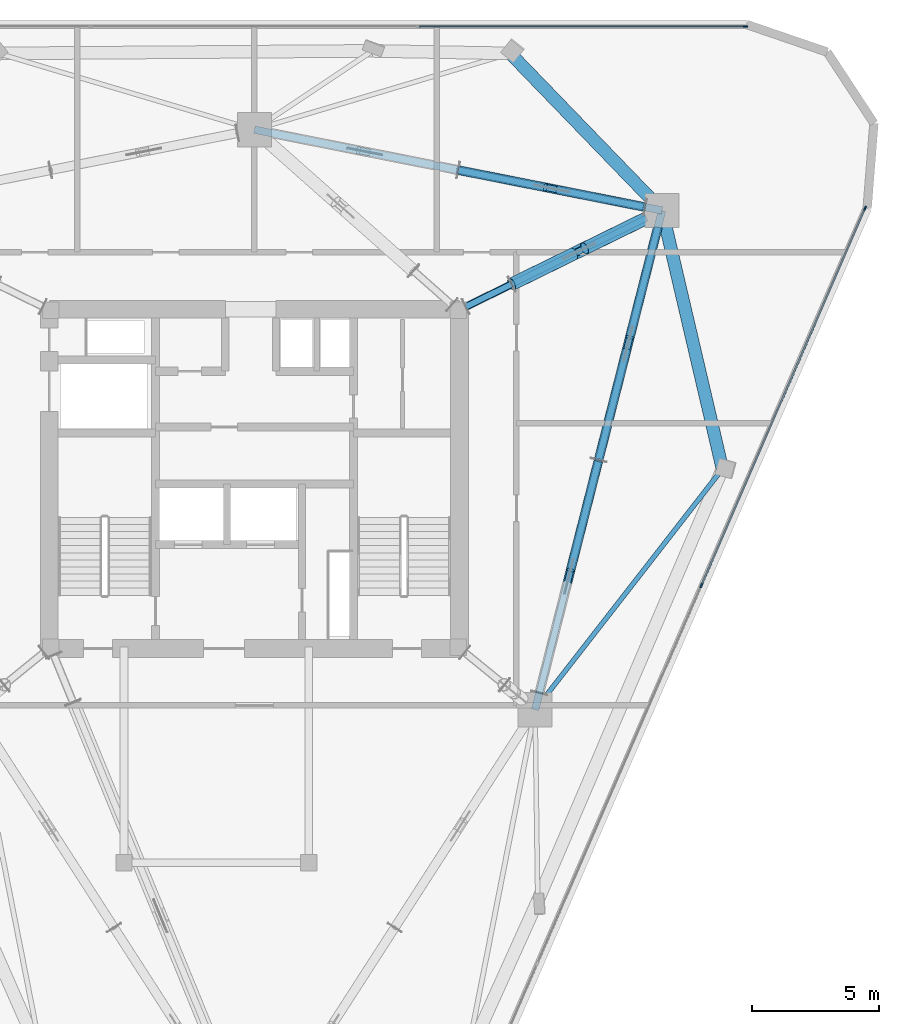
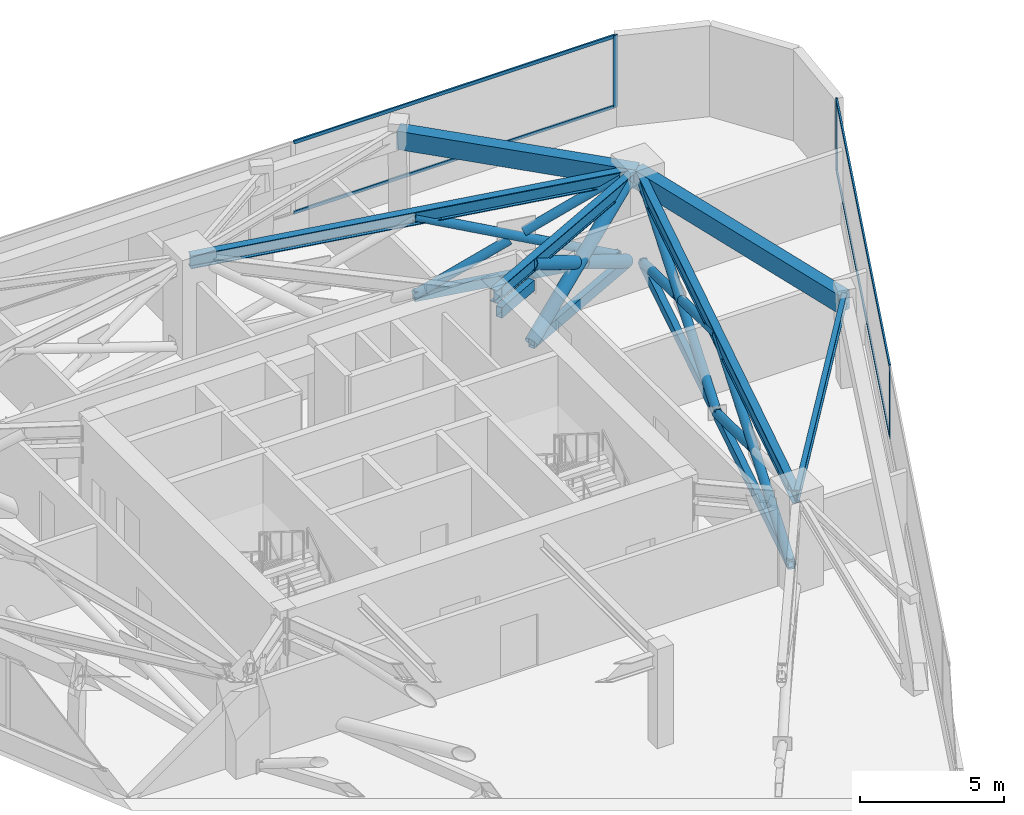
# One storey, part 7 of 12: 28 members, 6 beams, 2 elements without a shape of their own.
"""IFC4 building model written with IfcOpenShell, lengths in metres."""

from ifc_helpers import new_model, si_unit, direction, frame, origin, origin_2d, place, context, subcontext, project, spatial, rectangle, hollow_rectangle, hollow_circle, i_section, extrude, material, layer, layer_set, material_profile, profile_set, type_object, element, aggregate, save


model = new_model("IFC4")

# Units and contexts
model_context = context("Model", 3, precision=1e-05, world=origin(), true_north=direction((0.0, 1.0)))
body_context = subcontext(model_context, "Body", "Model", "MODEL_VIEW")
ifc_project = project(units=[si_unit("LENGTHUNIT", "METRE"), si_unit("AREAUNIT", "SQUARE_METRE"), si_unit("VOLUMEUNIT", "CUBIC_METRE"), si_unit("PLANEANGLEUNIT", "RADIAN"), si_unit("MASSUNIT", "GRAM", prefix="KILO")], contexts=[model_context])

# Site, building, storey
site_placement = place(None, origin())
site = spatial("IfcSite", under=ifc_project, at=site_placement, CompositionType="ELEMENT")
building_placement = place(site_placement, origin())
building = spatial("IfcBuilding", under=site, at=building_placement, Name="Talyreon Biosciences Tower", CompositionType="ELEMENT")
storey_placement = place(building_placement, frame((0.0, 0.0, 223.199951171875)))
storey = spatial("IfcBuildingStorey", under=building, at=storey_placement, Name="L59", CompositionType="ELEMENT", Elevation=223.199951171875)

# Members
ifc_material_1 = material(Name="Steel SM355", Category="steel")
ifc_material_profile_1 = material_profile(ifc_material_1, hollow_circle(Radius=0.177734375, WallThickness=0.01416015625, at=origin_2d()), Name="CHS 355.6x14.2")
ifc_profile_set_1 = profile_set([ifc_material_profile_1], Name="Steel SM355")
member_type_1 = type_object("IfcMemberType", Name="BeltBrace_CHS355", PredefinedType="BRACE", material=ifc_profile_set_1)
member_1_placement = place(storey_placement, frame((77.255126953125, 59.544189453125, 0.239990234375), z_axis=(0.232387556643, 0.913541898906, 0.333822141956), x_axis=(-0.969135299617, 0.246529452677, 0.0)))
element("IfcMember", 1, at=member_1_placement, inside=storey, type_object=member_type_1, Name="L59 Continuous Diagonal BELT-L59-B2S1A", PredefinedType="BRACE", context=body_context, shape_type="SweptSolid", body=[
    extrude(hollow_circle(Radius=0.177734375, WallThickness=0.01416015625, at=origin_2d()), origin(), (0.0, 0.0, 1.0), 10.065673828125),
])
member_2_placement = place(storey_placement, frame((79.59423828125, 68.739501953125, 0.239990234375), z_axis=(-0.232390170682, -0.913533774404, 0.333842555097), x_axis=(0.969134113213, -0.246534116519, 0.0)))
element("IfcMember", 2, at=member_2_placement, inside=storey, type_object=member_type_1, Name="L59 Split Diagonal BELT-L59-B2S1B-Lower", PredefinedType="BRACE", context=body_context, shape_type="SweptSolid", body=[
    extrude(hollow_circle(Radius=0.177734375, WallThickness=0.01416015625, at=origin_2d()), origin(), (0.0, 0.0, 1.0), 4.752685546875),
])
member_3_placement = place(storey_placement, frame((79.59423828125, 68.739501953125, 0.239990234375), z_axis=(0.232410501623, 0.913536749438, 0.333820260262), x_axis=(-0.969129151675, 0.246553619673, 0.0)))
element("IfcMember", 3, at=member_3_placement, inside=storey, type_object=member_type_1, Name="L59 Continuous Diagonal BELT-L59-B2S2A", PredefinedType="BRACE", context=body_context, shape_type="SweptSolid", body=[
    extrude(hollow_circle(Radius=0.177734375, WallThickness=0.01416015625, at=origin_2d()), origin(), (0.0, 0.0, 1.0), 10.065673828125),
])
for number, where, z_axis, x_axis, name in (
    (4, (81.93359375, 77.934814453125, 0.239990234375), (-0.232390170682, -0.913533774404, 0.333842555097), (0.969134113213, -0.246534116519, 0.0), "L59 Split Diagonal BELT-L59-B2S2B-Lower"),
    (5, (80.69873046875, 73.081298828125, 2.013427734375), (-0.232390170682, -0.913533774404, 0.333842555097), (0.969134113213, -0.246534116519, 0.0), "L59 Split Diagonal BELT-L59-B2S2B-Upper"),
):
    element("IfcMember", number, at=place(storey_placement, frame(where, z_axis=z_axis, x_axis=x_axis)), inside=storey, type_object=member_type_1, Name=name, PredefinedType="BRACE", context=body_context, shape_type="SweptSolid", body=[
        extrude(hollow_circle(Radius=0.177734375, WallThickness=0.01416015625, at=origin_2d()), origin(), (0.0, 0.0, 1.0), 4.752685546875),
    ])
member_4_placement = place(storey_placement, frame((81.430419921875, 78.731689453125, 0.239990234375), z_axis=(-0.895643462177, 0.177469270305, 0.407832621007), x_axis=(-0.194368289089, -0.980928625434, 0.0)))
element("IfcMember", 6, at=member_4_placement, inside=storey, type_object=member_type_1, Name="L59 Continuous Diagonal BELT-L59-B3S1A", PredefinedType="BRACE", context=body_context, shape_type="SweptSolid", body=[
    extrude(hollow_circle(Radius=0.177734375, WallThickness=0.01416015625, at=origin_2d()), origin(), (0.0, 0.0, 1.0), 8.239013671875),
])
for number, where, z_axis, x_axis, name in (
    (7, (74.05126953125, 80.19384765625, 0.239990234375), (0.895633809037, -0.177473479661, 0.407851988013), (0.194374740894, 0.980927347005, 0.0), "L59 Split Diagonal BELT-L59-B3S1B-Lower"),
    (8, (77.99169921875, 79.4130859375, 2.0341796875), (0.895633809037, -0.177473479661, 0.407851988013), (0.194374740894, 0.980927347005, 0.0), "L59 Split Diagonal BELT-L59-B3S1B-Upper"),
):
    element("IfcMember", number, at=place(storey_placement, frame(where, z_axis=z_axis, x_axis=x_axis)), inside=storey, type_object=member_type_1, Name=name, PredefinedType="BRACE", context=body_context, shape_type="SweptSolid", body=[
        extrude(hollow_circle(Radius=0.177734375, WallThickness=0.01416015625, at=origin_2d()), origin(), (0.0, 0.0, 1.0), 3.83935546875),
    ])
ifc_material_profile_2 = material_profile(ifc_material_1, hollow_rectangle(XDim=0.25, YDim=0.39990234375, WallThickness=0.01611328125, at=origin_2d()), Name="RHS 400x250x16")
ifc_profile_set_2 = profile_set([ifc_material_profile_2], Name="Steel SM355")
member_type_2 = type_object("IfcMemberType", Name="BeltChord_RHS400x250", PredefinedType="CHORD", material=ifc_profile_set_2)
for number, where, z_axis, x_axis, name in (
    (9, (77.255126953125, 59.544189453125, 0.239990234375), (0.246529452677, 0.969135299617, 0.0), (-0.969135299617, 0.246529452677, 0.0), "L59 Truss Bottom Chord BELT-L59-B2S1"),
    (10, (77.255126953125, 59.544189453125, 3.60009765625), (0.246529452677, 0.969135299617, 0.0), (-0.969135299617, 0.246529452677, 0.0), "L59 Truss Top Chord BELT-L59-B2S1"),
    (11, (79.59423828125, 68.739501953125, 0.239990234375), (0.246553619673, 0.969129151675, 0.0), (-0.969129151675, 0.246553619673, 0.0), "L59 Truss Bottom Chord BELT-L59-B2S2"),
    (12, (79.59423828125, 68.739501953125, 3.60009765625), (0.246553619673, 0.969129151675, 0.0), (-0.969129151675, 0.246553619673, 0.0), "L59 Truss Top Chord BELT-L59-B2S2"),
):
    element("IfcMember", number, at=place(storey_placement, frame(where, z_axis=z_axis, x_axis=x_axis)), inside=storey, type_object=member_type_2, Name=name, PredefinedType="CHORD", context=body_context, shape_type="SweptSolid", body=[
        extrude(hollow_rectangle(XDim=0.25, YDim=0.39990234375, WallThickness=0.01611328125, at=origin_2d()), origin(), (0.0, 0.0, 1.0), 9.48828125),
    ])
for number, where, z_axis, x_axis, name in (
    (13, (81.430419921875, 78.731689453125, 0.239990234375), (-0.980928625434, 0.194368289089, 0.0), (-0.194368289089, -0.980928625434, 0.0), "L59 Truss Bottom Chord BELT-L59-B3S1"),
    (14, (81.430419921875, 78.731689453125, 3.60009765625), (-0.980928625434, 0.194368289089, 0.0), (-0.194368289089, -0.980928625434, 0.0), "L59 Truss Top Chord BELT-L59-B3S1"),
):
    element("IfcMember", number, at=place(storey_placement, frame(where, z_axis=z_axis, x_axis=x_axis)), inside=storey, type_object=member_type_2, Name=name, PredefinedType="CHORD", context=body_context, shape_type="SweptSolid", body=[
        extrude(hollow_rectangle(XDim=0.25, YDim=0.39990234375, WallThickness=0.01611328125, at=origin_2d()), origin(), (0.0, 0.0, 1.0), 7.522705078125),
    ])

# Curtain wall, member
ifc_material_2 = material(Name="Thermally broken aluminium and low-E glazing", Category="aluminium")
ifc_layer = layer(ifc_material_2, 0.179931640625)
ifc_layer_set = layer_set([ifc_layer], Name="Thermally broken aluminium and low-E glazing")
curtain_wall_type = type_object("IfcCurtainWallType", Name="CurtainWall_Zone4Optical", PredefinedType="NOTDEFINED", material=ifc_layer_set)
curtain_wall_1_placement = place(storey_placement, origin())
curtain_wall_1 = element("IfcCurtainWall", 15, at=curtain_wall_1_placement, inside=storey, type_object=curtain_wall_type, Name="L59 Unitised Curtain Wall FCW-L59-04", PredefinedType="NOTDEFINED")
ifc_material_3 = material(Name="Anodised thermally broken aluminium", Category="aluminium")
ifc_material_profile_3 = material_profile(ifc_material_3, rectangle(XDim=0.06494140625, YDim=0.179931640625, at=origin_2d()), Name="ALUM MULLION 65x180")
ifc_profile_set_3 = profile_set([ifc_material_profile_3], Name="Anodised thermally broken aluminium")
member_type_3 = type_object("IfcMemberType", Name="CWMullion_65x180", PredefinedType="MULLION", material=ifc_profile_set_3)
member_5_placement = place(storey_placement, frame((85.402099609375, 85.87158203125, 0.81005859375), z_axis=(0.0, 0.0, 1.0), x_axis=(0.0, 1.0, 0.0)))
member_5 = element("IfcMember", 16, at=member_5_placement, type_object=member_type_3, Name="CW5 mullion 4", PredefinedType="MULLION", context=body_context, shape_type="SweptSolid", body=[
    extrude(rectangle(XDim=0.06494140625, YDim=0.179931640625, at=origin_2d()), origin(), (0.0, 0.0, 1.0), 3.0400390625),
])

# Curtain wall, members
curtain_wall_2_placement = place(storey_placement, origin())
curtain_wall_2 = element("IfcCurtainWall", 17, at=curtain_wall_2_placement, inside=storey, type_object=curtain_wall_type, Name="L59 Unitised Curtain Wall FCW-L59-08", PredefinedType="NOTDEFINED")
member_6_placement = place(storey_placement, frame((90.118408203125, 78.683349609375, 0.81005859375), z_axis=(0.0, 0.0, 1.0), x_axis=(0.917336640876, -0.398112405366, 0.0)))
member_6 = element("IfcMember", 18, at=member_6_placement, type_object=member_type_3, Name="CW5 mullion 1", PredefinedType="MULLION", context=body_context, shape_type="SweptSolid", body=[
    extrude(rectangle(XDim=0.06494140625, YDim=0.179931640625, at=origin_2d()), origin(), (0.0, 0.0, 1.0), 3.0400390625),
])
member_7_placement = place(storey_placement, frame((83.6533203125, 63.785888671875, 0.81005859375), z_axis=(0.0, 0.0, 1.0), x_axis=(0.917336640876, -0.398112405366, 0.0)))
member_7 = element("IfcMember", 19, at=member_7_placement, type_object=member_type_3, Name="CW5 mullion 2", PredefinedType="MULLION", context=body_context, shape_type="SweptSolid", body=[
    extrude(rectangle(XDim=0.06494140625, YDim=0.179931640625, at=origin_2d()), origin(), (0.0, 0.0, 1.0), 3.0400390625),
])

# Member
ifc_material_profile_4 = material_profile(ifc_material_3, rectangle(XDim=0.06494140625, YDim=0.139892578125, at=origin_2d()), Name="ALUM TRANSOM 65x140")
ifc_profile_set_4 = profile_set([ifc_material_profile_4], Name="Anodised thermally broken aluminium")
member_type_4 = type_object("IfcMemberType", Name="CWTransom_65x140", PredefinedType="USERDEFINED", material=ifc_profile_set_4)
member_8_placement = place(storey_placement, frame((72.5107421875, 85.87158203125, 0.842529296875), z_axis=(1.0, 0.0, 0.0), x_axis=(0.0, 1.0, 0.0)))
member_8 = element("IfcMember", 20, at=member_8_placement, type_object=member_type_4, Name="CW5 transom 3.1", ObjectType="TRANSOM", PredefinedType="USERDEFINED", context=body_context, shape_type="SweptSolid", body=[
    extrude(rectangle(XDim=0.06494140625, YDim=0.139892578125, at=origin_2d()), origin(), (0.0, 0.0, 1.0), 12.85888671875),
])

member_9_placement = place(storey_placement, frame((72.5107421875, 85.87158203125, 3.817626953125), z_axis=(1.0, 0.0, 0.0), x_axis=(0.0, 1.0, 0.0)))
member_9 = element("IfcMember", 21, at=member_9_placement, type_object=member_type_4, Name="CW5 transom 3.2", ObjectType="TRANSOM", PredefinedType="USERDEFINED", context=body_context, shape_type="SweptSolid", body=[
    extrude(rectangle(XDim=0.06494140625, YDim=0.139892578125, at=origin_2d()), origin(), (0.0, 0.0, 1.0), 12.85888671875),
])

aggregate(curtain_wall_1, [member_5, member_8, member_9])

member_10_placement = place(storey_placement, frame((90.10546875, 78.653564453125, 0.842529296875), z_axis=(-0.398099588732, -0.917342203025, 0.0), x_axis=(0.917342203025, -0.398099588732, 0.0)))
member_10 = element("IfcMember", 22, at=member_10_placement, type_object=member_type_4, Name="CW5 transom 1.1", ObjectType="TRANSOM", PredefinedType="USERDEFINED", context=body_context, shape_type="SweptSolid", body=[
    extrude(rectangle(XDim=0.06494140625, YDim=0.139892578125, at=origin_2d()), origin(), (0.0, 0.0, 1.0), 16.1748046875),
])

member_11_placement = place(storey_placement, frame((90.10546875, 78.653564453125, 3.817626953125), z_axis=(-0.398099588732, -0.917342203025, 0.0), x_axis=(0.917342203025, -0.398099588732, 0.0)))
member_11 = element("IfcMember", 23, at=member_11_placement, type_object=member_type_4, Name="CW5 transom 1.2", ObjectType="TRANSOM", PredefinedType="USERDEFINED", context=body_context, shape_type="SweptSolid", body=[
    extrude(rectangle(XDim=0.06494140625, YDim=0.139892578125, at=origin_2d()), origin(), (0.0, 0.0, 1.0), 16.1748046875),
])

aggregate(curtain_wall_2, [member_6, member_7, member_10, member_11])

# Beams
ifc_material_4 = material(Name="Precast concrete C45/55", Category="concrete")
ifc_material_profile_5 = material_profile(ifc_material_4, rectangle(XDim=0.5, YDim=0.780029296875, at=origin_2d()), Name="RCB 500x780")
ifc_profile_set_5 = profile_set([ifc_material_profile_5], Name="Precast concrete C45/55")
beam_type_1 = type_object("IfcBeamType", Name="ExpressedSpandrel_500x780", PredefinedType="SPANDREL", material=ifc_profile_set_5)
beam_1_placement = place(storey_placement, frame((84.485595703125, 68.3916015625, 3.4599609375), z_axis=(-0.227379822725, 0.973806149199, 0.0), x_axis=(-0.973806149199, -0.227379822725, 0.0)))
element("IfcBeam", 24, at=beam_1_placement, inside=storey, type_object=beam_type_1, Name="L59 Expressed Horizontal Concrete Spandrel 04", PredefinedType="SPANDREL", context=body_context, shape_type="SweptSolid", body=[
    extrude(rectangle(XDim=0.5, YDim=0.780029296875, at=origin_2d()), origin(), (0.0, 0.0, 1.0), 10.481689453125),
])
beam_2_placement = place(storey_placement, frame((82.102294921875, 78.5986328125, 3.4599609375), z_axis=(-0.695035262525, 0.718975648995, 0.0), x_axis=(-0.718975648995, -0.695035262525, 0.0)))
element("IfcBeam", 25, at=beam_2_placement, inside=storey, type_object=beam_type_1, Name="L59 Expressed Horizontal Concrete Spandrel 05", PredefinedType="SPANDREL", context=body_context, shape_type="SweptSolid", body=[
    extrude(rectangle(XDim=0.5, YDim=0.780029296875, at=origin_2d()), origin(), (0.0, 0.0, 1.0), 8.62744140625),
])

# Members
ifc_material_profile_6 = material_profile(ifc_material_1, hollow_circle(Radius=0.25390625, WallThickness=0.02001953125, at=origin_2d()), Name="CHS 508x20")
ifc_profile_set_6 = profile_set([ifc_material_profile_6], Name="Steel SM355")
member_type_5 = type_object("IfcMemberType", Name="OutriggerBrace_CHS508", PredefinedType="BRACE", material=ifc_profile_set_6)
member_12_placement = place(storey_placement, frame((76.159912109375, 75.684814453125, 0.239990234375), z_axis=(0.78128397453, 0.383105198087, 0.492773536568), x_axis=(-0.440271049639, 0.897864913475, 0.0)))
element("IfcMember", 26, at=member_12_placement, inside=storey, type_object=member_type_5, Name="L59 Continuous Diagonal OUT-L59-R3A", PredefinedType="BRACE", context=body_context, shape_type="SweptSolid", body=[
    extrude(hollow_circle(Radius=0.25390625, WallThickness=0.02001953125, at=origin_2d()), origin(), (0.0, 0.0, 1.0), 6.81884765625),
])
for number, where, z_axis, x_axis, name in (
    (27, (81.4873046875, 78.297119140625, 0.239990234375), (-0.781271636668, -0.383146096233, 0.4927612999), (0.440314544014, -0.897843584557, 0.0), "L59 Split Diagonal OUT-L59-R3B-Lower"),
    (28, (78.60498046875, 76.883544921875, 2.05810546875), (-0.781325381532, -0.383056178065, 0.492745991988), (0.440206824056, -0.897896403854, 0.0), "L59 Split Diagonal OUT-L59-R3B-Upper"),
):
    element("IfcMember", number, at=place(storey_placement, frame(where, z_axis=z_axis, x_axis=x_axis)), inside=storey, type_object=member_type_5, Name=name, PredefinedType="BRACE", context=body_context, shape_type="SweptSolid", body=[
        extrude(hollow_circle(Radius=0.25390625, WallThickness=0.02001953125, at=origin_2d()), origin(), (0.0, 0.0, 1.0), 3.12939453125),
    ])
ifc_material_profile_7 = material_profile(ifc_material_1, hollow_rectangle(XDim=0.25, YDim=0.449951171875, WallThickness=0.01611328125, at=origin_2d()), Name="RHS 450x250x16")
ifc_profile_set_7 = profile_set([ifc_material_profile_7], Name="Steel SM355")
member_type_6 = type_object("IfcMemberType", Name="OutriggerChord_RHS450x250", PredefinedType="CHORD", material=ifc_profile_set_7)
for number, where, z_axis, x_axis, name in (
    (29, (74.350830078125, 74.797607421875, 3.60009765625), (0.897841833821, 0.440318113914, 0.0), (-0.440318113914, 0.897841833821, 0.0), "L59 Outrigger Core Top Tie 3"),
    (30, (74.350830078125, 74.797607421875, 2.699951171875), (0.897841833821, 0.440318113914, 0.0), (-0.440318113914, 0.897841833821, 0.0), "L59 Outrigger Core Plenum Tie 3"),
):
    element("IfcMember", number, at=place(storey_placement, frame(where, z_axis=z_axis, x_axis=x_axis)), inside=storey, type_object=member_type_6, Name=name, PredefinedType="CHORD", context=body_context, shape_type="SweptSolid", body=[
        extrude(hollow_rectangle(XDim=0.25, YDim=0.449951171875, WallThickness=0.01611328125, at=origin_2d()), origin(), (0.0, 0.0, 1.0), 2.014892578125),
    ])
for number, where, z_axis, x_axis, name in (
    (31, (76.159912109375, 75.684814453125, 0.239990234375), (0.897864913475, 0.440271049639, 0.0), (-0.440271049639, 0.897864913475, 0.0), "L59 Truss Bottom Chord OUT-L59-R3"),
    (32, (76.159912109375, 75.684814453125, 3.60009765625), (0.897864913475, 0.440271049639, 0.0), (-0.440271049639, 0.897864913475, 0.0), "L59 Truss Top Chord OUT-L59-R3"),
):
    element("IfcMember", number, at=place(storey_placement, frame(where, z_axis=z_axis, x_axis=x_axis)), inside=storey, type_object=member_type_6, Name=name, PredefinedType="CHORD", context=body_context, shape_type="SweptSolid", body=[
        extrude(hollow_rectangle(XDim=0.25, YDim=0.449951171875, WallThickness=0.01611328125, at=origin_2d()), origin(), (0.0, 0.0, 1.0), 5.933349609375),
    ])

# Beams
ifc_material_profile_8 = material_profile(ifc_material_1, i_section(OverallWidth=0.300048828125, OverallDepth=0.550048828125, WebThickness=0.014892578125, FlangeThickness=0.029052734375, FilletRadius=0.027099609375, at=origin_2d()), Name="HE550B")
ifc_profile_set_8 = profile_set([ifc_material_profile_8], Name="Steel SM355")
beam_type_2 = type_object("IfcBeamType", Name="SteelBeam_HE550B", PredefinedType="BEAM", material=ifc_profile_set_8)
beam_3_placement = place(storey_placement, frame((77.086181640625, 58.88037109375, 3.574951171875), z_axis=(0.246537082299, 0.969133358755, 0.0), x_axis=(-0.969133358755, 0.246537082299, 0.0)))
element("IfcBeam", 33, at=beam_3_placement, inside=storey, type_object=beam_type_2, Name="L59 Mega-Ring Girder 2", PredefinedType="BEAM", context=body_context, shape_type="SweptSolid", body=[
    extrude(i_section(OverallWidth=0.300048828125, OverallDepth=0.550048828125, WebThickness=0.014892578125, FlangeThickness=0.029052734375, FilletRadius=0.027099609375, at=origin_2d()), origin(), (0.0, 0.0, 1.0), 20.34619140625),
])
beam_4_placement = place(storey_placement, frame((82.102294921875, 78.5986328125, 3.574951171875), z_axis=(-0.980933730698, 0.194342522311, 0.0), x_axis=(-0.194342522311, -0.980933730698, 0.0)))
element("IfcBeam", 34, at=beam_4_placement, inside=storey, type_object=beam_type_2, Name="L59 Mega-Ring Girder 3", PredefinedType="BEAM", context=body_context, shape_type="SweptSolid", body=[
    extrude(i_section(OverallWidth=0.300048828125, OverallDepth=0.550048828125, WebThickness=0.014892578125, FlangeThickness=0.029052734375, FilletRadius=0.027099609375, at=origin_2d()), origin(), (0.0, 0.0, 1.0), 16.415283203125),
])
beam_5_placement = place(storey_placement, frame((74.050048828125, 74.64990234375, 3.574951171875), z_axis=(0.897852360314, 0.440296648952, 0.0), x_axis=(-0.440296648952, 0.897852360314, 0.0)))
element("IfcBeam", 35, at=beam_5_placement, inside=storey, type_object=beam_type_2, Name="L59 Radial Primary Girder 3", PredefinedType="BEAM", context=body_context, shape_type="SweptSolid", body=[
    extrude(i_section(OverallWidth=0.300048828125, OverallDepth=0.550048828125, WebThickness=0.014892578125, FlangeThickness=0.029052734375, FilletRadius=0.027099609375, at=origin_2d()), origin(), (0.0, 0.0, 1.0), 8.96826171875),
])
ifc_material_profile_9 = material_profile(ifc_material_1, i_section(OverallWidth=0.18994140625, OverallDepth=0.449951171875, WebThickness=0.009521484375, FlangeThickness=0.0146484375, FilletRadius=0.02099609375, at=origin_2d()), Name="IPE450")
ifc_profile_set_9 = profile_set([ifc_material_profile_9], Name="Steel SM355")
beam_type_3 = type_object("IfcBeamType", Name="SteelJoist_IPE450", PredefinedType="JOIST", material=ifc_profile_set_9)
beam_6_placement = place(storey_placement, frame((77.086181640625, 58.88037109375, 3.625), z_axis=(0.614033180868, 0.789280211834, 0.0), x_axis=(-0.789280211834, 0.614033180868, 0.0)))
element("IfcBeam", 36, at=beam_6_placement, inside=storey, type_object=beam_type_3, Name="L59 Radial Composite Floor Joist PC-SE2", PredefinedType="JOIST", context=body_context, shape_type="SweptSolid", body=[
    extrude(i_section(OverallWidth=0.18994140625, OverallDepth=0.449951171875, WebThickness=0.009521484375, FlangeThickness=0.0146484375, FilletRadius=0.02099609375, at=origin_2d()), origin(), (0.0, 0.0, 1.0), 12.050537109375),
])

save(model, "model.ifc")
